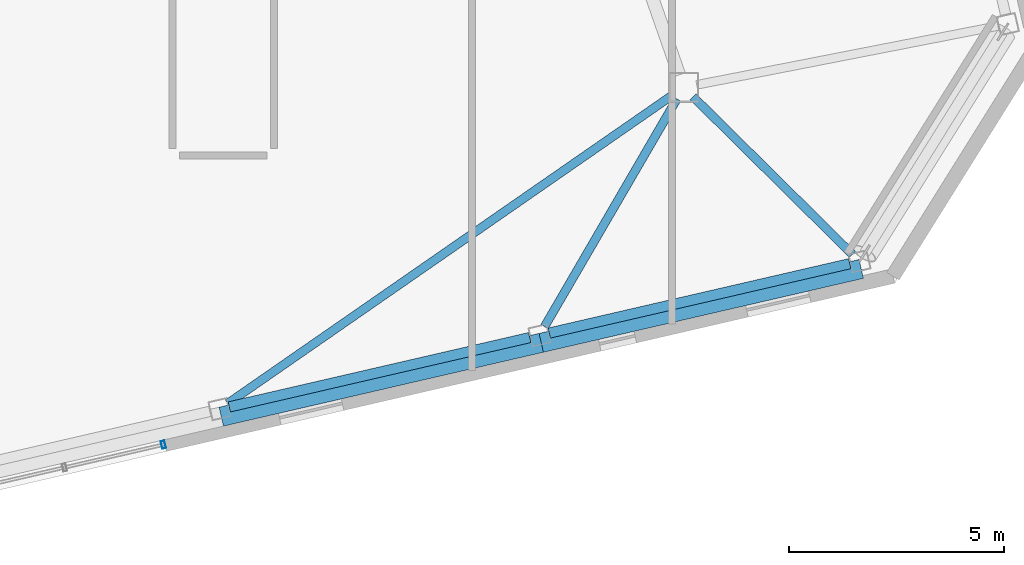
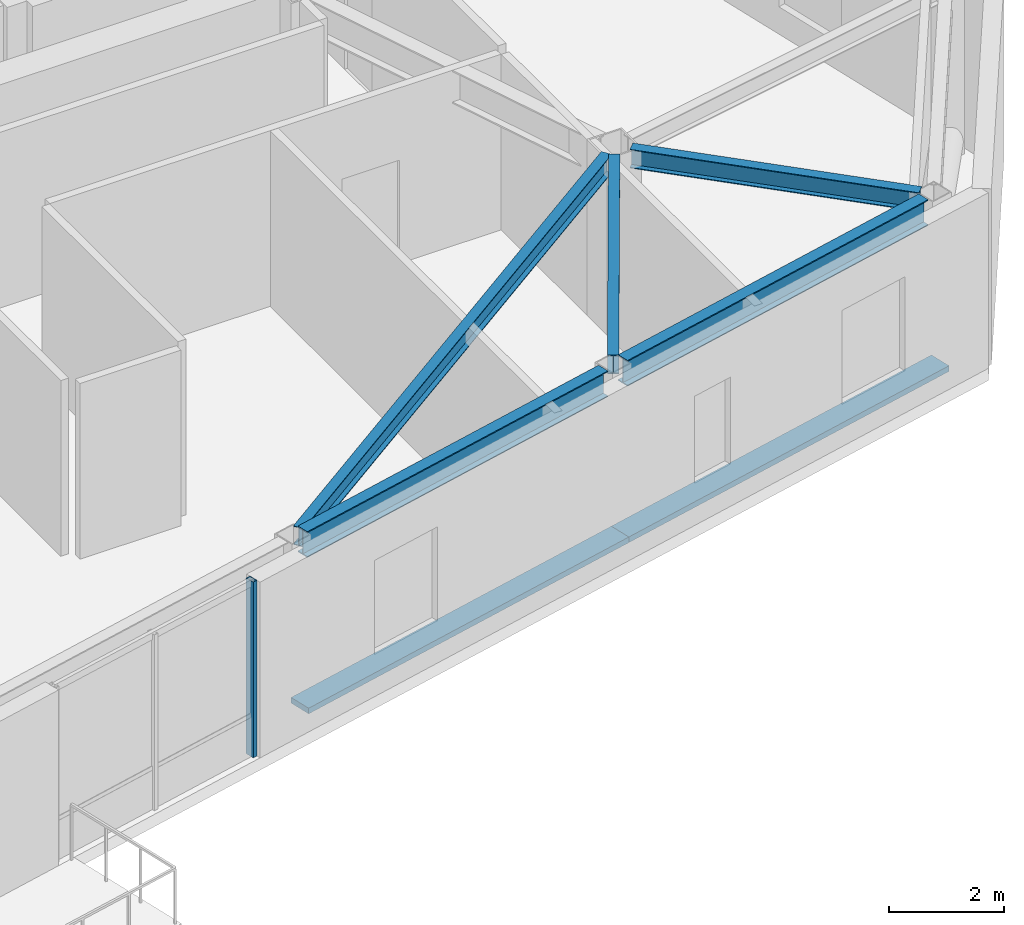
# One storey, part 9 of 23: 5 beams, 3 members, 1 element without a shape of its own.
"""IFC4 building model written with IfcOpenShell, lengths in metres."""

import ifcopenshell
import ifcopenshell.guid

model = None  # the IFC model being written
_history = None  # IfcOwnerHistory: only IFC2X3 demands one
_inside = {}  # id of a spatial element -> (the spatial element, [elements in it])
_under = {}  # id of a project, library or spatial element -> (it, [spatial elements below it])
_declared = {}  # id of a project -> (the project, [libraries it declares])
_typed = {}  # id of a type object -> (the type object, [elements of that type])
_made_of = {}  # id of a material, layer set ... -> (it, [elements and type objects made of it])


def new_model(schema):
    """Start an empty IFC model of exactly this schema.

    Asked for "IFC4X3", IfcOpenShell would pick the latest addendum, in which some entities
    have other attributes; the version numbers below select the first issue.
    IFC2X3 requires an IfcOwnerHistory on every rooted entity: one is made here for all.
    """
    global model, _history
    if schema == "IFC4X3":
        model = ifcopenshell.file(schema_version=(4, 3, 0, 0))
    else:
        model = ifcopenshell.file(schema=schema)
    _inside.clear()
    _under.clear()
    _declared.clear()
    _typed.clear()
    _made_of.clear()
    _history = None
    if model.schema == "IFC2X3":
        org = make("IfcOrganization", Name="unknown")
        user = make(
            "IfcPersonAndOrganization",
            ThePerson=make("IfcPerson", FamilyName="unknown"),
            TheOrganization=org,
        )
        app = make(
            "IfcApplication",
            ApplicationDeveloper=org,
            Version="unknown",
            ApplicationFullName="unknown",
            ApplicationIdentifier="unknown",
        )
        _history = make(
            "IfcOwnerHistory",
            OwningUser=user,
            OwningApplication=app,
            ChangeAction="ADDED",
            CreationDate=0,
        )
    return model


def make(cls, **values):
    """One entity of the class cls with the attributes given. An attribute that is None is left unset."""
    return model.create_entity(
        cls, **{name: value for name, value in values.items() if value is not None}
    )


def rooted(cls, **values):
    """An entity with a GlobalId (a new one), such as an element, a storey or a relation."""
    return make(cls, GlobalId=ifcopenshell.guid.new(), OwnerHistory=_history, **values)


def si_unit(unit_type, name, prefix=None):
    """IfcSIUnit, for example si_unit("LENGTHUNIT", "METRE", prefix="MILLI")."""
    return make("IfcSIUnit", UnitType=unit_type, Prefix=prefix, Name=name)


def assignment(units):
    """IfcUnitAssignment: the units of a project."""
    return None if units is None else make("IfcUnitAssignment", Units=units)


def point(xyz):
    """IfcCartesianPoint."""
    return None if xyz is None else make("IfcCartesianPoint", Coordinates=xyz)


def direction(xyz):
    """IfcDirection."""
    return None if xyz is None else make("IfcDirection", DirectionRatios=xyz)


def frame(location, z_axis=None, x_axis=None):
    """IfcAxis2Placement3D, a coordinate frame: its origin and axes. An axis left out is left unset."""
    return make(
        "IfcAxis2Placement3D",
        Location=point(location),
        Axis=direction(z_axis),
        RefDirection=direction(x_axis),
    )


def frame_2d(location, x_axis=None):
    """IfcAxis2Placement2D, a coordinate frame in the plane: its origin and x axis."""
    return make(
        "IfcAxis2Placement2D", Location=point(location), RefDirection=direction(x_axis)
    )


def origin():
    """The frame at (0, 0, 0) with its axes left unset."""
    return frame((0.0, 0.0, 0.0))


def origin_2d():
    """The frame at (0, 0) in the plane with its x axis left unset."""
    return frame_2d((0.0, 0.0))


def place(relative_to, where):
    """IfcLocalPlacement: puts the frame where relative to a parent placement (None: the world)."""
    return make(
        "IfcLocalPlacement", PlacementRelTo=relative_to, RelativePlacement=where
    )


def context(
    kind, dimensions, precision=None, world=None, true_north=None, identifier=None
):
    """IfcGeometricRepresentationContext, for example the 3D "Model" context."""
    return make(
        "IfcGeometricRepresentationContext",
        ContextIdentifier=identifier,
        ContextType=kind,
        CoordinateSpaceDimension=dimensions,
        Precision=precision,
        WorldCoordinateSystem=world,
        TrueNorth=true_north,
    )


def subcontext(parent, identifier, kind, view, scale=None):
    """IfcGeometricRepresentationSubContext, for example "Body" below "Model"."""
    return make(
        "IfcGeometricRepresentationSubContext",
        ContextIdentifier=identifier,
        ContextType=kind,
        ParentContext=parent,
        TargetScale=scale,
        TargetView=view,
    )


def project(units=None, contexts=None):
    """IfcProject with its units and contexts."""
    return rooted(
        "IfcProject",
        Name="project",
        RepresentationContexts=contexts,
        UnitsInContext=assignment(units),
    )


def spatial(cls, under=None, at=None, **own):
    """A site, building, storey or space (cls), placed at a placement, below another one or the project."""
    s = rooted(cls, ObjectPlacement=at, **own)
    if under is not None:
        _under.setdefault(under.id(), (under, []))[1].append(s)
    return s


def profile(cls, at=None, kind="AREA", **sizes):
    """A parametric profile (cls). Its sizes go by their IFC names, for example OverallWidth=200.0."""
    return make(cls, ProfileType=kind, Position=at, **sizes)


def rectangle(**sizes):
    """IfcRectangleProfileDef."""
    return profile("IfcRectangleProfileDef", **sizes)


def hollow_rectangle(**sizes):
    """IfcRectangleHollowProfileDef."""
    return profile("IfcRectangleHollowProfileDef", **sizes)


def i_section(**sizes):
    """IfcIShapeProfileDef."""
    return profile("IfcIShapeProfileDef", **sizes)


def extrude(swept, where, along, depth):
    """IfcExtrudedAreaSolid: the profile swept, set in the frame where, extruded along a direction by depth."""
    return make(
        "IfcExtrudedAreaSolid",
        SweptArea=swept,
        Position=where,
        ExtrudedDirection=direction(along),
        Depth=depth,
    )


def shape(context_of_items, identifier, shape_type, items):
    """IfcShapeRepresentation: the items that make up one representation, for example the "Body"."""
    return make(
        "IfcShapeRepresentation",
        ContextOfItems=context_of_items,
        RepresentationIdentifier=identifier,
        RepresentationType=shape_type,
        Items=items,
    )


def material(Name=None, Category=None):
    """IfcMaterial."""
    return make("IfcMaterial", Name=Name, Category=Category)


def layer(
    of_material, thickness, ventilated=None, Name=None, Category=None, Priority=None
):
    """IfcMaterialLayer: one layer of a wall or slab, of a material (None: an air gap)."""
    return make(
        "IfcMaterialLayer",
        Material=of_material,
        LayerThickness=thickness,
        IsVentilated=ventilated,
        Name=Name,
        Category=Category,
        Priority=Priority,
    )


def layer_set(layers, Name=None):
    """IfcMaterialLayerSet."""
    return make("IfcMaterialLayerSet", MaterialLayers=layers, LayerSetName=Name)


def material_profile(
    of_material, cross_section, Name=None, Category=None, Priority=None
):
    """IfcMaterialProfile: a cross section and its material."""
    return make(
        "IfcMaterialProfile",
        Name=Name,
        Material=of_material,
        Profile=cross_section,
        Priority=Priority,
        Category=Category,
    )


def profile_set(profiles, Name=None, composite=None):
    """IfcMaterialProfileSet."""
    return make(
        "IfcMaterialProfileSet",
        Name=Name,
        MaterialProfiles=profiles,
        CompositeProfile=composite,
    )


def made_of(thing, what):
    """Note that an element or type object is made of a material, layer set ...; save() writes the relation."""
    if what is not None:
        _made_of.setdefault(what.id(), (what, []))[1].append(thing)
    return thing


def type_object(cls, material=None, **own):
    """A type object (cls), such as IfcWallType, which elements share."""
    return made_of(rooted(cls, **own), material)


def element(
    cls,
    number,
    at=None,
    inside=None,
    cuts=None,
    type_object=None,
    material=None,
    context=None,
    identifier="Body",
    shape_type=None,
    held_by="IfcProductDefinitionShape",
    body=None,
    shapes=None,
    **own,
):
    """One element of the class cls, such as IfcWall. Its Tag is "e" and its number.

    at: its placement. inside: the storey or other place that contains it. cuts: it is an
    opening in that element (IfcRelVoidsElement). A single representation is given by context,
    identifier, shape_type and body (its items); several are given by shapes. held_by: the class
    of the entity that holds the representations. save() writes the other relations.
    """
    e = rooted(cls, Tag="e%d" % number, ObjectPlacement=at, **own)
    if body is not None:
        shapes = [shape(context, identifier, shape_type, body)]
    if shapes is not None:
        e.Representation = make(held_by, Representations=shapes)
    if inside is not None:
        _inside.setdefault(inside.id(), (inside, []))[1].append(e)
    if cuts is not None:
        rooted(
            "IfcRelVoidsElement", RelatingBuildingElement=cuts, RelatedOpeningElement=e
        )
    if type_object is not None:
        _typed.setdefault(type_object.id(), (type_object, []))[1].append(e)
    return made_of(e, material)


def aggregate(whole, parts):
    """IfcRelAggregates: a whole, such as a stair, and the parts it consists of."""
    return rooted("IfcRelAggregates", RelatingObject=whole, RelatedObjects=parts)


def save(model, path):
    """Write the relations noted so far, then the file.

    IfcRelAggregates (storeys below a building ...), IfcRelContainedInSpatialStructure (elements
    in a storey), IfcRelDefinesByType, IfcRelAssociatesMaterial and IfcRelDeclares: one each for
    every whole, place, type object, material and project.
    """
    for whole, parts in _under.values():
        aggregate(whole, parts)
    for where, things in _inside.values():
        rooted(
            "IfcRelContainedInSpatialStructure",
            RelatedElements=things,
            RelatingStructure=where,
        )
    for kind, things in _typed.values():
        rooted("IfcRelDefinesByType", RelatedObjects=things, RelatingType=kind)
    for what, things in _made_of.values():
        rooted("IfcRelAssociatesMaterial", RelatedObjects=things, RelatingMaterial=what)
    for by, libraries in _declared.values():
        rooted("IfcRelDeclares", RelatingContext=by, RelatedDefinitions=libraries)
    model.write(path)


model = new_model("IFC4")

# Units and contexts
model_context = context("Model", 3, precision=1e-05, world=origin(), true_north=direction((0.0, 1.0)))
body_context = subcontext(model_context, "Body", "Model", "MODEL_VIEW")
ifc_project = project(units=[si_unit("LENGTHUNIT", "METRE"), si_unit("AREAUNIT", "SQUARE_METRE"), si_unit("VOLUMEUNIT", "CUBIC_METRE"), si_unit("PLANEANGLEUNIT", "RADIAN"), si_unit("MASSUNIT", "GRAM", prefix="KILO")], contexts=[model_context])

# Site, building, storey
site_placement = place(None, origin())
site = spatial("IfcSite", under=ifc_project, at=site_placement, CompositionType="ELEMENT")
building_placement = place(site_placement, origin())
building = spatial("IfcBuilding", under=site, at=building_placement, Name="Tavrogorsk Clinical Tower", CompositionType="ELEMENT")
storey_placement = place(building_placement, frame((0.0, 0.0, 289.0)))
storey = spatial("IfcBuildingStorey", under=building, at=storey_placement, Name="L67", CompositionType="ELEMENT", Elevation=289.0)

# Members
ifc_material_1 = material(Name="Anodised aluminium alloy AW-6063", Category="aluminium")
ifc_material_profile_1 = material_profile(ifc_material_1, rectangle(XDim=0.449951171875, YDim=0.1201171875, at=origin_2d()), Name="ALU-SUNSHADE-450x120")
ifc_profile_set_1 = profile_set([ifc_material_profile_1], Name="Anodised aluminium alloy AW-6063")
member_type_1 = type_object("IfcMemberType", Name="ChicagoSunshade_450x120", PredefinedType="USERDEFINED", material=ifc_profile_set_1)
for number, where, z_axis, x_axis, name in (
    (1, (13.751708984375, -20.85498046875, 0.179931640625), (0.974372328168, 0.224941250331, 0.0), (-0.224941250331, 0.974372328168, 0.0), "L67 South Aluminium Sunshade S6"),
    (2, (21.1904296875, -19.1376953125, 0.179931640625), (0.974372328168, 0.224941250331, 0.0), (-0.224941250331, 0.974372328168, 0.0), "L67 South Aluminium Sunshade S7"),
):
    element("IfcMember", number, at=place(storey_placement, frame(where, z_axis=z_axis, x_axis=x_axis)), inside=storey, type_object=member_type_1, Name=name, ObjectType="SUNSHADE", PredefinedType="USERDEFINED", context=body_context, shape_type="SweptSolid", body=[
        extrude(rectangle(XDim=0.449951171875, YDim=0.1201171875, at=origin_2d()), origin(), (0.0, 0.0, 1.0), 7.63427734375),
    ])

# Curtain wall, member
ifc_material_2 = material(Name="Anodised aluminium and triple IGU glazing", Category="aluminium")
ifc_layer = layer(ifc_material_2, 0.179931640625)
ifc_layer_set = layer_set([ifc_layer], Name="Anodised aluminium and triple IGU glazing")
curtain_wall_type = type_object("IfcCurtainWallType", Name="CW3_SouthSlot", PredefinedType="NOTDEFINED", material=ifc_layer_set)
curtain_wall_placement = place(storey_placement, origin())
curtain_wall = element("IfcCurtainWall", 3, at=curtain_wall_placement, inside=storey, type_object=curtain_wall_type, Name="L67 Curtain Wall CW-L67-S-SLOT-2", PredefinedType="NOTDEFINED")
ifc_material_3 = material(Name="Anodised aluminium alloy AW-6060", Category="aluminium")
ifc_material_profile_2 = material_profile(ifc_material_3, hollow_rectangle(XDim=0.090087890625, YDim=0.179931640625, WallThickness=0.00634765625, at=origin_2d()), Name="RHS-180x90x6.3")
ifc_profile_set_2 = profile_set([ifc_material_profile_2], Name="Anodised aluminium alloy AW-6060")
member_type_2 = type_object("IfcMemberType", Name="CwMullion_180x90", PredefinedType="MULLION", material=ifc_profile_set_2)
member_placement = place(storey_placement, frame((12.4052734375, -21.504638671875, 0.0), z_axis=(0.0, 0.0, 1.0), x_axis=(0.974370057377, 0.224951086434, 0.0)))
member = element("IfcMember", 4, at=member_placement, type_object=member_type_2, Name="CW-L67-S-SLOT-2 Mullion 3", PredefinedType="MULLION", context=body_context, shape_type="SweptSolid", body=[
    extrude(hollow_rectangle(XDim=0.090087890625, YDim=0.179931640625, WallThickness=0.00634765625, at=origin_2d()), origin(), (0.0, 0.0, 1.0), 3.739990234375),
])
aggregate(curtain_wall, [member])

# Beams
ifc_material_4 = material(Name="Structural steel S355", Category="steel")
ifc_material_profile_3 = material_profile(ifc_material_4, i_section(OverallWidth=0.199951171875, OverallDepth=0.39990234375, WebThickness=0.010498046875, FlangeThickness=0.01611328125, at=origin_2d()), Name="B-400x200x10.5x16")
ifc_profile_set_3 = profile_set([ifc_material_profile_3], Name="Structural steel S355")
beam_type_1 = type_object("IfcBeamType", Name="FloorBeam_B400", PredefinedType="BEAM", material=ifc_profile_set_3)
beam_1_placement = place(storey_placement, frame((24.245361328125, -13.376708984375, 3.5400390625), z_axis=(-0.821821874963, -0.56974450926, 0.0), x_axis=(0.56974450926, -0.821821874963, 0.0)))
element("IfcBeam", 5, at=beam_1_placement, inside=storey, type_object=beam_type_1, Name="L67 Radial Floor Beam S6", PredefinedType="BEAM", context=body_context, shape_type="SweptSolid", body=[
    extrude(i_section(OverallWidth=0.199951171875, OverallDepth=0.39990234375, WebThickness=0.010498046875, FlangeThickness=0.01611328125, at=origin_2d()), origin(), (0.0, 0.0, 1.0), 12.5849609375),
])
beam_2_placement = place(storey_placement, frame((24.34423828125, -13.468017578125, 3.5400390625), z_axis=(-0.50260105099, -0.864518469174, 0.0), x_axis=(0.864518469174, -0.50260105099, 0.0)))
element("IfcBeam", 6, at=beam_2_placement, inside=storey, type_object=beam_type_1, Name="L67 Radial Floor Beam S7", PredefinedType="BEAM", context=body_context, shape_type="SweptSolid", body=[
    extrude(i_section(OverallWidth=0.199951171875, OverallDepth=0.39990234375, WebThickness=0.010498046875, FlangeThickness=0.01611328125, at=origin_2d()), origin(), (0.0, 0.0, 1.0), 6.12255859375),
])
beam_3_placement = place(storey_placement, frame((24.720458984375, -13.41796875, 3.5400390625), z_axis=(0.710870207436, -0.703323217433, 0.0), x_axis=(0.703323217433, 0.710870207436, 0.0)))
element("IfcBeam", 7, at=beam_3_placement, inside=storey, type_object=beam_type_1, Name="L67 Radial Floor Beam S8", PredefinedType="BEAM", context=body_context, shape_type="SweptSolid", body=[
    extrude(i_section(OverallWidth=0.199951171875, OverallDepth=0.39990234375, WebThickness=0.010498046875, FlangeThickness=0.01611328125, at=origin_2d()), origin(), (0.0, 0.0, 1.0), 5.208251953125),
])
ifc_material_5 = material(Name="Structural steel S390", Category="steel")
ifc_material_profile_4 = material_profile(ifc_material_5, i_section(OverallWidth=0.239990234375, OverallDepth=0.550048828125, WebThickness=0.013916015625, FlangeThickness=0.02197265625, at=origin_2d()), Name="B-550x240x14x22")
ifc_profile_set_4 = profile_set([ifc_material_profile_4], Name="Structural steel S390")
beam_type_2 = type_object("IfcBeamType", Name="SpandrelBeam_B550", PredefinedType="SPANDREL", material=ifc_profile_set_4)
for number, where, z_axis, x_axis, name in (
    (8, (13.938232421875, -20.627197265625, 3.465087890625), (0.974369378592, 0.224954026551, 0.0), (-0.224954026551, 0.974369378592, 0.0), "L67 Perimeter Spandrel S6-S7"),
    (9, (21.376953125, -18.909912109375, 3.465087890625), (0.974369378592, 0.224954026551, 0.0), (-0.224954026551, 0.974369378592, 0.0), "L67 Perimeter Spandrel S7-S8"),
):
    element("IfcBeam", number, at=place(storey_placement, frame(where, z_axis=z_axis, x_axis=x_axis)), inside=storey, type_object=beam_type_2, Name=name, PredefinedType="SPANDREL", context=body_context, shape_type="SweptSolid", body=[
        extrude(i_section(OverallWidth=0.239990234375, OverallDepth=0.550048828125, WebThickness=0.013916015625, FlangeThickness=0.02197265625, at=origin_2d()), origin(), (0.0, 0.0, 1.0), 7.16845703125),
    ])

save(model, "model.ifc")
